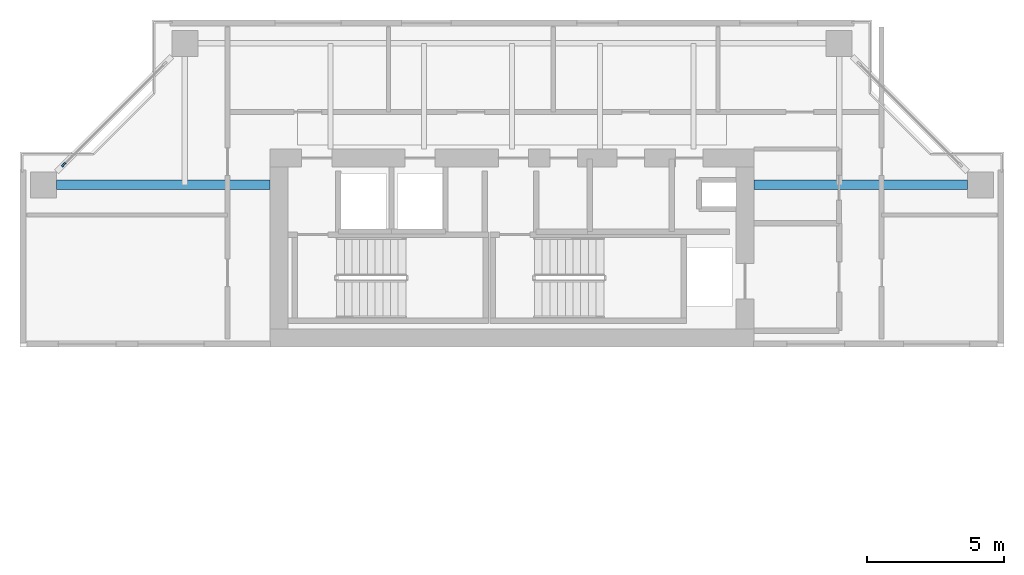
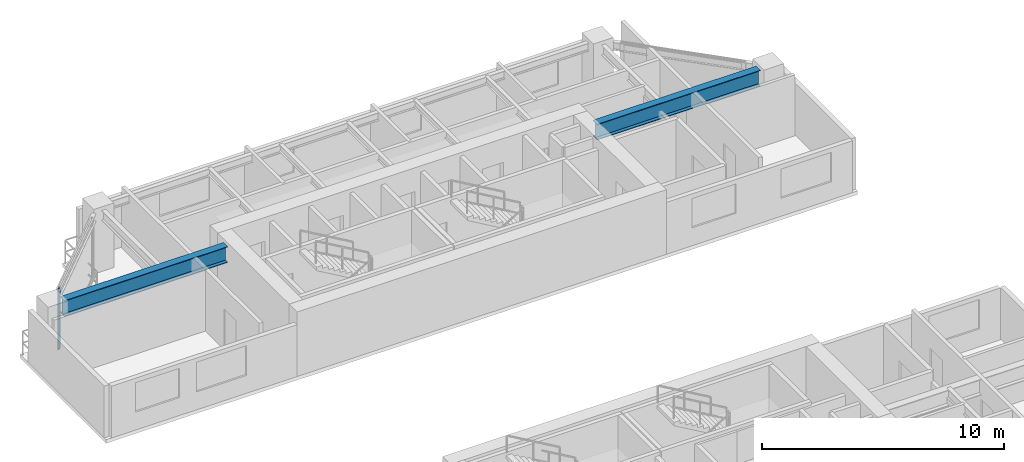
# One storey, part 3 of 12: 2 beams, 1 member, 1 element without a shape of its own.
"""IFC4 building model written with IfcOpenShell, lengths in metres."""

from ifc_helpers import new_model, si_unit, direction, frame, origin, origin_2d, place, context, subcontext, project, spatial, rectangle, i_section, extrude, source, transform, mapped, material, layer, layer_set, material_profile, profile_set, type_object, element, aggregate, save


model = new_model("IFC4")

# Units and contexts
model_context = context("Model", 3, precision=1e-05, world=origin(), true_north=direction((0.0, 1.0)))
body_context = subcontext(model_context, "Body", "Model", "MODEL_VIEW")
ifc_project = project(units=[si_unit("LENGTHUNIT", "METRE"), si_unit("AREAUNIT", "SQUARE_METRE"), si_unit("VOLUMEUNIT", "CUBIC_METRE"), si_unit("PLANEANGLEUNIT", "RADIAN"), si_unit("MASSUNIT", "GRAM", prefix="KILO"), si_unit("THERMODYNAMICTEMPERATUREUNIT", "KELVIN"), si_unit("POWERUNIT", "WATT")], contexts=[model_context])

# Site, building, storey
site_placement = place(None, origin())
site = spatial("IfcSite", under=ifc_project, at=site_placement, CompositionType="ELEMENT")
building_placement = place(site_placement, origin())
building = spatial("IfcBuilding", under=site, at=building_placement, Name="Qiaomeng Ring Towers", CompositionType="ELEMENT")
storey_placement = place(building_placement, frame((0.0, 0.0, 166.5)))
storey = spatial("IfcBuildingStorey", under=building, at=storey_placement, Name="L48", CompositionType="ELEMENT", Elevation=166.5)

# Beams
ifc_material_1 = material(Name="Steel Q390GJC", Category="steel")
ifc_material_profile_1 = material_profile(ifc_material_1, i_section(OverallWidth=0.35009765625, OverallDepth=0.800048828125, WebThickness=0.01611328125, FlangeThickness=0.028076171875, at=origin_2d()), Name="WH 800x350x16x28")
ifc_profile_set_1 = profile_set([ifc_material_profile_1], Name="Steel Q390GJC")
beam_type = type_object("IfcBeamType", Name="STR-BM-WH800", PredefinedType="BEAM", material=ifc_profile_set_1)
shared_shape_1 = source(origin(), body_context, "Body", "SweptSolid", [
    extrude(i_section(OverallWidth=0.35009765625, OverallDepth=0.800048828125, WebThickness=0.01611328125, FlangeThickness=0.028076171875, at=origin_2d()), origin(), (0.0, 0.0, 1.0), 7.77587890625),
])
for number, where, z_axis, x_axis, name in (
    (1, (2.424072265625, 34.89990234375, 2.669921875), (1.0, 0.0, 0.0), (0.0, 1.0, 0.0), "L48 beam STR-BM-L48-T1-RAD-W4"),
    (2, (27.800048828125, 34.89990234375, 2.669921875), (1.0, 0.0, 0.0), (0.0, 1.0, 0.0), "L48 beam STR-BM-L48-T1-RAD-E4"),
):
    element("IfcBeam", number, at=place(storey_placement, frame(where, z_axis=z_axis, x_axis=x_axis)), inside=storey, type_object=beam_type, Name=name, PredefinedType="BEAM", context=body_context, shape_type="MappedRepresentation", body=[
        mapped(shared_shape_1, transform((0.0, 0.0, 0.0), x_axis=(1.0, 0.0, 0.0), y_axis=(0.0, 1.0, 0.0), z_axis=(0.0, 0.0, 1.0), scale=1.0)),
    ])

# Curtain wall, member
ifc_material_2 = material(Name="Fluorocarbon dark-grey aluminium", Category="aluminium")
ifc_layer = layer(ifc_material_2, 0.14990234375, Name="Fluorocarbon dark-grey aluminium")
ifc_layer_set = layer_set([ifc_layer], Name="Fluorocarbon dark-grey aluminium")
curtain_wall_type = type_object("IfcCurtainWallType", Name="ARC-CW-3", PredefinedType="NOTDEFINED", material=ifc_layer_set)
curtain_wall_placement = place(storey_placement, origin())
curtain_wall = element("IfcCurtainWall", 3, at=curtain_wall_placement, inside=storey, type_object=curtain_wall_type, Name="L48 Curtain Wall CW3", PredefinedType="NOTDEFINED")
ifc_material_profile_2 = material_profile(ifc_material_2, rectangle(XDim=0.070068359375, YDim=0.179931640625, at=origin_2d()), Name="ALU MULL 70x180")
ifc_profile_set_2 = profile_set([ifc_material_profile_2], Name="Fluorocarbon dark-grey aluminium")
member_type = type_object("IfcMemberType", Name="ARC-CWM-160", PredefinedType="MULLION", material=ifc_profile_set_2)
shared_shape_2 = source(origin(), body_context, "Body", "SweptSolid", [
    extrude(rectangle(XDim=0.070068359375, YDim=0.179931640625, at=origin_2d()), origin(), (0.0, 0.0, 1.0), 3.070068359375),
])
member_placement = place(storey_placement, frame((2.689697265625, 35.6396484375, 0.0), z_axis=(0.0, 0.0, 1.0), x_axis=(0.707106781187, -0.707106781187, 0.0)))
member = element("IfcMember", 4, at=member_placement, type_object=member_type, Name="CW3 mullion 2", PredefinedType="MULLION", context=body_context, shape_type="MappedRepresentation", body=[
    mapped(shared_shape_2, transform((0.0, 0.0, 0.0), x_axis=(1.0, 0.0, 0.0), y_axis=(0.0, 1.0, 0.0), z_axis=(0.0, 0.0, 1.0), scale=1.0)),
])
aggregate(curtain_wall, [member])

save(model, "model.ifc")
